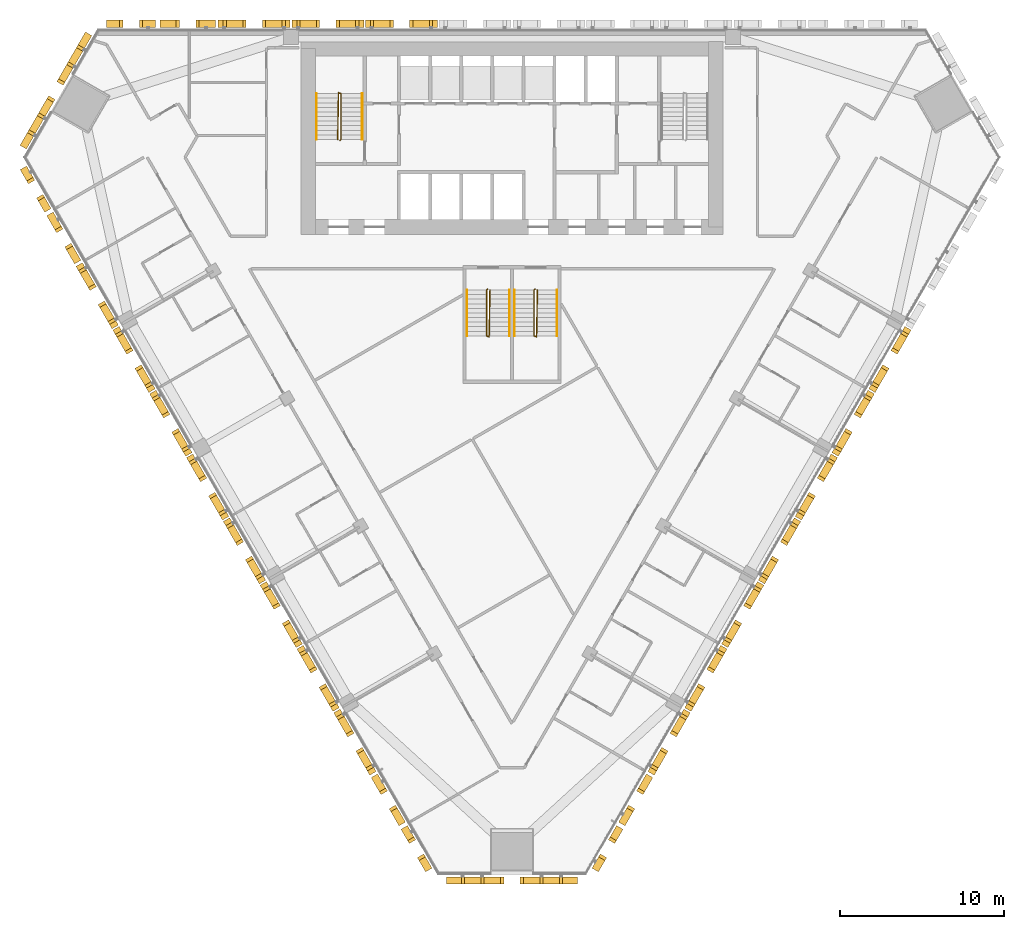
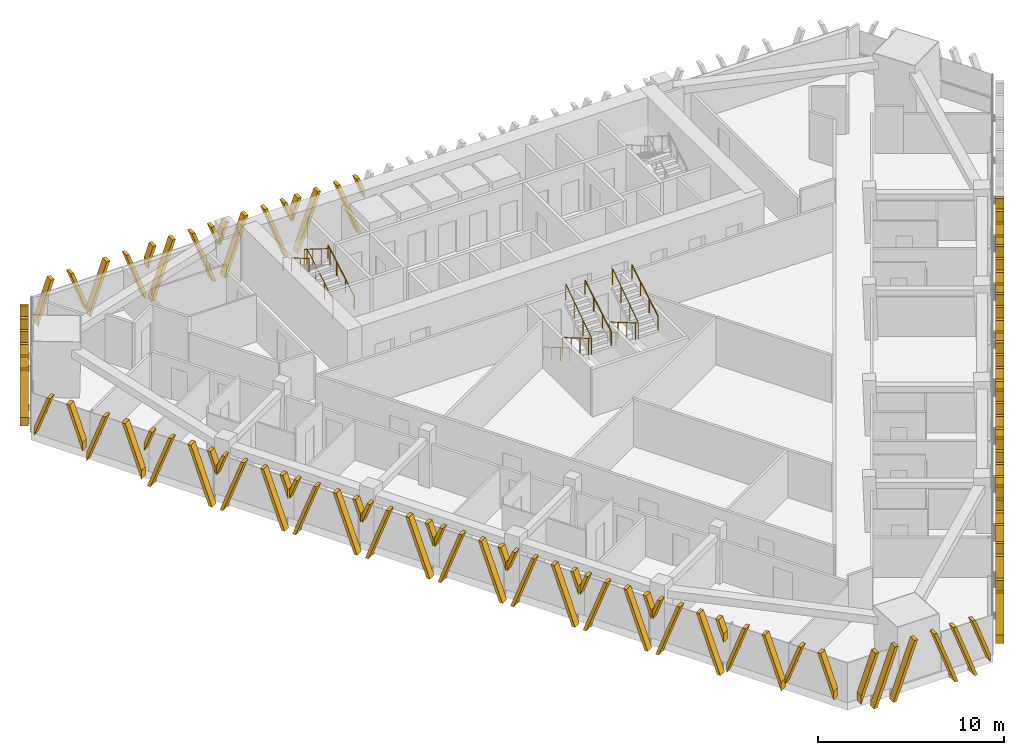
# One storey, part 14 of 16: 28 shading devices, 9 railings.
"""IFC4 building model written with IfcOpenShell, lengths in metres."""

from ifc_helpers import new_model, si_unit, direction, frame, origin, origin_2d, place, context, subcontext, project, spatial, polyline, circle, outline, extrude, source, transform, mapped, material, type_object, element, save


model = new_model("IFC4")

# Units and contexts
model_context = context("Model", 3, precision=1e-05, world=origin(), true_north=direction((0.0, 1.0)))
body_context = subcontext(model_context, "Body", "Model", "MODEL_VIEW")
ifc_project = project(units=[si_unit("LENGTHUNIT", "METRE"), si_unit("AREAUNIT", "SQUARE_METRE"), si_unit("VOLUMEUNIT", "CUBIC_METRE"), si_unit("PLANEANGLEUNIT", "RADIAN"), si_unit("MASSUNIT", "GRAM", prefix="KILO")], contexts=[model_context])

# Site, building, storey
site_placement = place(None, origin())
site = spatial("IfcSite", under=ifc_project, at=site_placement, CompositionType="ELEMENT")
building_placement = place(site_placement, origin())
building = spatial("IfcBuilding", under=site, at=building_placement, Name="Altiplano Prism Tower", CompositionType="ELEMENT")
storey_placement = place(building_placement, frame((0.0, 0.0, 73.800048828125)))
storey = spatial("IfcBuildingStorey", under=building, at=storey_placement, Name="L18", CompositionType="ELEMENT", Elevation=73.800048828125)

# Railings
ifc_material_1 = material(Name="Steel S355", Category="steel")
railing_type_1 = type_object("IfcRailingType", Name="Stair guard 1100", PredefinedType="GUARDRAIL", material=ifc_material_1)
railing_1_placement = place(storey_placement, frame((74.5, 98.25, 0.0)))
element("IfcRailing", 1, at=railing_1_placement, inside=storey, type_object=railing_type_1, Name="L18 ST1 stair guard 1", PredefinedType="GUARDRAIL", context=body_context, shape_type="SweptSolid", body=[
    extrude(circle(Radius=0.02392578125, at=origin_2d()), frame((0.0, 0.0, 1.076171875), z_axis=(0.280808744504, 0.280808744504, 0.917765164963), x_axis=(-0.707106781187, 0.707106781187, 0.0)), (0.0, 0.0, 1.0), 0.17822265625),
    extrude(circle(Radius=0.02392578125, at=origin_2d()), frame((0.050048828125, 0.050048828125, 1.23974609375), z_axis=(0.0, 0.863360870873, 0.504586966384), x_axis=(-1.0, 0.0, 0.0)), (0.0, 0.0, 1.0), 3.2431640625),
    extrude(circle(Radius=0.02392578125, at=origin_2d()), frame((0.050048828125, 2.85009765625, 2.8759765625), z_axis=(-0.949145278916, 0.314838433982, 0.0), x_axis=(-0.314838433982, -0.949145278916, 0.0)), (0.0, 0.0, 1.0), 0.158203125),
    extrude(circle(Radius=0.02392578125, at=origin_2d()), frame((-0.10009765625, 2.89990234375, 2.8759765625), z_axis=(-0.014774583964, -0.845410385345, 0.533912906773), x_axis=(0.999847325713, -0.01747355902, 0.0)), (0.0, 0.0, 1.0), 3.370849609375),
    extrude(circle(Radius=0.02099609375, at=origin_2d()), origin(), (0.0, 0.0, 1.0), 1.052001953125),
    extrude(circle(Radius=0.02099609375, at=origin_2d()), frame((0.050048828125, 0.050048828125, 0.16357421875)), (0.0, 0.0, 1.0), 1.052001953125),
    extrude(circle(Radius=0.02099609375, at=origin_2d()), frame((0.050048828125, 0.9833984375, 0.708984375)), (0.0, 0.0, 1.0), 1.052001953125),
    extrude(circle(Radius=0.02099609375, at=origin_2d()), frame((0.050048828125, 1.916748046875, 1.254638671875)), (0.0, 0.0, 1.0), 1.052001953125),
    extrude(circle(Radius=0.02099609375, at=origin_2d()), frame((0.050048828125, 2.85009765625, 1.800048828125)), (0.0, 0.0, 1.0), 1.052001953125),
    extrude(circle(Radius=0.02099609375, at=origin_2d()), frame((-0.10009765625, 2.89990234375, 1.800048828125)), (0.0, 0.0, 1.0), 1.052001953125),
    extrude(circle(Radius=0.02099609375, at=origin_2d()), frame((-0.11669921875, 1.949951171875, 2.39990234375)), (0.0, 0.0, 1.0), 1.052001953125),
    extrude(circle(Radius=0.02099609375, at=origin_2d()), frame((-0.13330078125, 1.0, 3.0)), (0.0, 0.0, 1.0), 1.052001953125),
    extrude(circle(Radius=0.02099609375, at=origin_2d()), frame((-0.14990234375, 0.050048828125, 3.599853515625)), (0.0, 0.0, 1.0), 1.052001953125),
])
railing_2_placement = place(storey_placement, frame((83.5, 89.14990234375, 0.0)))
element("IfcRailing", 2, at=railing_2_placement, inside=storey, type_object=railing_type_1, Name="L18 ST3A stair guard 1", PredefinedType="GUARDRAIL", context=body_context, shape_type="SweptSolid", body=[
    extrude(circle(Radius=0.02392578125, at=origin_2d()), frame((0.0, 0.0, 1.076171875), z_axis=(-0.280916556609, -0.279546231943, 0.91811752648), x_axis=(0.705375805398, -0.708833529934, 0.0)), (0.0, 0.0, 1.0), 0.17822265625),
    extrude(circle(Radius=0.02392578125, at=origin_2d()), frame((-0.050048828125, -0.0498046875, 1.23974609375), z_axis=(0.0, -0.863360870873, 0.504586966384), x_axis=(1.0, 0.0, 0.0)), (0.0, 0.0, 1.0), 3.2431640625),
    extrude(circle(Radius=0.02392578125, at=origin_2d()), frame((-0.050048828125, -2.849853515625, 2.8759765625), z_axis=(0.948683298051, -0.316227766017, 0.0), x_axis=(0.316227766017, 0.948683298051, 0.0)), (0.0, 0.0, 1.0), 0.158203125),
    extrude(circle(Radius=0.02392578125, at=origin_2d()), frame((0.10009765625, -2.89990234375, 2.8759765625), z_axis=(0.014773679385, 0.845431044782, 0.53388021776), x_axis=(-0.999847351862, 0.017472062685, 0.0)), (0.0, 0.0, 1.0), 3.37109375),
    extrude(circle(Radius=0.02099609375, at=origin_2d()), origin(), (0.0, 0.0, 1.0), 1.052001953125),
    extrude(circle(Radius=0.02099609375, at=origin_2d()), frame((-0.050048828125, -0.0498046875, 0.16357421875)), (0.0, 0.0, 1.0), 1.052001953125),
    extrude(circle(Radius=0.02099609375, at=origin_2d()), frame((-0.050048828125, -0.983154296875, 0.708984375)), (0.0, 0.0, 1.0), 1.052001953125),
    extrude(circle(Radius=0.02099609375, at=origin_2d()), frame((-0.050048828125, -1.91650390625, 1.254638671875)), (0.0, 0.0, 1.0), 1.052001953125),
    extrude(circle(Radius=0.02099609375, at=origin_2d()), frame((-0.050048828125, -2.849853515625, 1.800048828125)), (0.0, 0.0, 1.0), 1.052001953125),
    extrude(circle(Radius=0.02099609375, at=origin_2d()), frame((0.10009765625, -2.89990234375, 1.800048828125)), (0.0, 0.0, 1.0), 1.052001953125),
    extrude(circle(Radius=0.02099609375, at=origin_2d()), frame((0.11669921875, -1.949951171875, 2.39990234375)), (0.0, 0.0, 1.0), 1.052001953125),
    extrude(circle(Radius=0.02099609375, at=origin_2d()), frame((0.13330078125, -0.999755859375, 3.0)), (0.0, 0.0, 1.0), 1.052001953125),
    extrude(circle(Radius=0.02099609375, at=origin_2d()), frame((0.14990234375, -0.0498046875, 3.599853515625)), (0.0, 0.0, 1.0), 1.052001953125),
])
railing_3_placement = place(storey_placement, frame((86.39990234375, 89.14990234375, 0.0)))
element("IfcRailing", 3, at=railing_3_placement, inside=storey, type_object=railing_type_1, Name="L18 ST3B stair guard 1", PredefinedType="GUARDRAIL", context=body_context, shape_type="SweptSolid", body=[
    extrude(circle(Radius=0.02392578125, at=origin_2d()), frame((0.0, 0.0, 1.076171875), z_axis=(-0.279653641804, -0.279653641804, 0.918470294159), x_axis=(0.707106781187, -0.707106781187, 0.0)), (0.0, 0.0, 1.0), 0.177978515625),
    extrude(circle(Radius=0.02392578125, at=origin_2d()), frame((-0.0498046875, -0.0498046875, 1.23974609375), z_axis=(0.0, -0.863360870873, 0.504586966384), x_axis=(1.0, 0.0, 0.0)), (0.0, 0.0, 1.0), 3.2431640625),
    extrude(circle(Radius=0.02392578125, at=origin_2d()), frame((-0.0498046875, -2.849853515625, 2.8759765625), z_axis=(0.948528701346, -0.316691178788, 0.0), x_axis=(0.316691178788, 0.948528701346, 0.0)), (0.0, 0.0, 1.0), 0.157958984375),
    extrude(circle(Radius=0.02392578125, at=origin_2d()), frame((0.10009765625, -2.89990234375, 2.8759765625), z_axis=(0.014846083459, 0.845430138032, 0.533879645158), x_axis=(-0.999845851991, 0.017557683712, 0.0)), (0.0, 0.0, 1.0), 3.37109375),
    extrude(circle(Radius=0.02099609375, at=origin_2d()), origin(), (0.0, 0.0, 1.0), 1.052001953125),
    extrude(circle(Radius=0.02099609375, at=origin_2d()), frame((-0.0498046875, -0.0498046875, 0.16357421875)), (0.0, 0.0, 1.0), 1.052001953125),
    extrude(circle(Radius=0.02099609375, at=origin_2d()), frame((-0.0498046875, -0.983154296875, 0.708984375)), (0.0, 0.0, 1.0), 1.052001953125),
    extrude(circle(Radius=0.02099609375, at=origin_2d()), frame((-0.0498046875, -1.91650390625, 1.254638671875)), (0.0, 0.0, 1.0), 1.052001953125),
    extrude(circle(Radius=0.02099609375, at=origin_2d()), frame((-0.0498046875, -2.849853515625, 1.800048828125)), (0.0, 0.0, 1.0), 1.052001953125),
    extrude(circle(Radius=0.02099609375, at=origin_2d()), frame((0.10009765625, -2.89990234375, 1.800048828125)), (0.0, 0.0, 1.0), 1.052001953125),
    extrude(circle(Radius=0.02099609375, at=origin_2d()), frame((0.11669921875, -1.949951171875, 2.39990234375)), (0.0, 0.0, 1.0), 1.052001953125),
    extrude(circle(Radius=0.02099609375, at=origin_2d()), frame((0.133544921875, -0.999755859375, 3.0)), (0.0, 0.0, 1.0), 1.052001953125),
    extrude(circle(Radius=0.02099609375, at=origin_2d()), frame((0.150146484375, -0.0498046875, 3.599853515625)), (0.0, 0.0, 1.0), 1.052001953125),
])
railing_type_2 = type_object("IfcRailingType", Name="Stair handrail 900", PredefinedType="HANDRAIL", material=ifc_material_1)
railing_4_placement = place(storey_placement, frame((75.85009765625, 98.300048828125, 0.16357421875)))
element("IfcRailing", 4, at=railing_4_placement, inside=storey, type_object=railing_type_2, Name="L18 ST1 stair handrail 1", PredefinedType="HANDRAIL", context=body_context, shape_type="SweptSolid", body=[
    extrude(circle(Radius=0.02392578125, at=origin_2d()), frame((0.0, 0.0, 0.8759765625), z_axis=(0.0, 0.863360870873, 0.504586966384), x_axis=(-1.0, 0.0, 0.0)), (0.0, 0.0, 1.0), 3.2431640625),
    extrude(circle(Radius=0.02099609375, at=origin_2d()), origin(), (0.0, 0.0, 1.0), 0.851806640625),
    extrude(circle(Radius=0.02099609375, at=origin_2d()), frame((0.0, 0.933349609375, 0.54541015625)), (0.0, 0.0, 1.0), 0.851806640625),
    extrude(circle(Radius=0.02099609375, at=origin_2d()), frame((0.0, 1.86669921875, 1.091064453125)), (0.0, 0.0, 1.0), 0.851806640625),
    extrude(circle(Radius=0.02099609375, at=origin_2d()), frame((0.0, 2.800048828125, 1.636474609375)), (0.0, 0.0, 1.0), 0.851806640625),
])
railing_5_placement = place(storey_placement, frame((73.050048828125, 101.10009765625, 1.963623046875)))
element("IfcRailing", 5, at=railing_5_placement, inside=storey, type_object=railing_type_2, Name="L18 ST1 stair handrail 2", PredefinedType="HANDRAIL", context=body_context, shape_type="SweptSolid", body=[
    extrude(circle(Radius=0.02392578125, at=origin_2d()), frame((0.0, 0.0, 0.8759765625), z_axis=(0.0, -0.863393664356, 0.504530851732), x_axis=(1.0, 0.0, 0.0)), (0.0, 0.0, 1.0), 3.2431640625),
    extrude(circle(Radius=0.02099609375, at=origin_2d()), origin(), (0.0, 0.0, 1.0), 0.851806640625),
    extrude(circle(Radius=0.02099609375, at=origin_2d()), frame((0.0, -0.933349609375, 0.54541015625)), (0.0, 0.0, 1.0), 0.851806640625),
    extrude(circle(Radius=0.02099609375, at=origin_2d()), frame((0.0, -1.86669921875, 1.0908203125)), (0.0, 0.0, 1.0), 0.851806640625),
    extrude(circle(Radius=0.02099609375, at=origin_2d()), frame((0.0, -2.800048828125, 1.63623046875)), (0.0, 0.0, 1.0), 0.851806640625),
])
railing_6_placement = place(storey_placement, frame((82.25, 89.10009765625, 0.16357421875)))
element("IfcRailing", 6, at=railing_6_placement, inside=storey, type_object=railing_type_2, Name="L18 ST3A stair handrail 1", PredefinedType="HANDRAIL", context=body_context, shape_type="SweptSolid", body=[
    extrude(circle(Radius=0.02392578125, at=origin_2d()), frame((0.0, 0.0, 0.8759765625), z_axis=(0.0, -0.863360870873, 0.504586966384), x_axis=(1.0, 0.0, 0.0)), (0.0, 0.0, 1.0), 3.2431640625),
    extrude(circle(Radius=0.02099609375, at=origin_2d()), origin(), (0.0, 0.0, 1.0), 0.851806640625),
    extrude(circle(Radius=0.02099609375, at=origin_2d()), frame((0.0, -0.933349609375, 0.54541015625)), (0.0, 0.0, 1.0), 0.851806640625),
    extrude(circle(Radius=0.02099609375, at=origin_2d()), frame((0.0, -1.86669921875, 1.091064453125)), (0.0, 0.0, 1.0), 0.851806640625),
    extrude(circle(Radius=0.02099609375, at=origin_2d()), frame((0.0, -2.800048828125, 1.636474609375)), (0.0, 0.0, 1.0), 0.851806640625),
])
railing_7_placement = place(storey_placement, frame((84.85009765625, 86.300048828125, 1.963623046875)))
element("IfcRailing", 7, at=railing_7_placement, inside=storey, type_object=railing_type_2, Name="L18 ST3A stair handrail 2", PredefinedType="HANDRAIL", context=body_context, shape_type="SweptSolid", body=[
    extrude(circle(Radius=0.02392578125, at=origin_2d()), frame((0.0, 0.0, 0.8759765625), z_axis=(0.0, 0.863393664356, 0.504530851732), x_axis=(-1.0, 0.0, 0.0)), (0.0, 0.0, 1.0), 3.2431640625),
    extrude(circle(Radius=0.02099609375, at=origin_2d()), origin(), (0.0, 0.0, 1.0), 0.851806640625),
    extrude(circle(Radius=0.02099609375, at=origin_2d()), frame((0.0, 0.933349609375, 0.54541015625)), (0.0, 0.0, 1.0), 0.851806640625),
    extrude(circle(Radius=0.02099609375, at=origin_2d()), frame((0.0, 1.86669921875, 1.0908203125)), (0.0, 0.0, 1.0), 0.851806640625),
    extrude(circle(Radius=0.02099609375, at=origin_2d()), frame((0.0, 2.800048828125, 1.63623046875)), (0.0, 0.0, 1.0), 0.851806640625),
])
railing_8_placement = place(storey_placement, frame((85.14990234375, 89.10009765625, 0.16357421875)))
element("IfcRailing", 8, at=railing_8_placement, inside=storey, type_object=railing_type_2, Name="L18 ST3B stair handrail 1", PredefinedType="HANDRAIL", context=body_context, shape_type="SweptSolid", body=[
    extrude(circle(Radius=0.02392578125, at=origin_2d()), frame((0.0, 0.0, 0.8759765625), z_axis=(0.0, -0.863360870873, 0.504586966384), x_axis=(1.0, 0.0, 0.0)), (0.0, 0.0, 1.0), 3.2431640625),
    extrude(circle(Radius=0.02099609375, at=origin_2d()), origin(), (0.0, 0.0, 1.0), 0.851806640625),
    extrude(circle(Radius=0.02099609375, at=origin_2d()), frame((0.0, -0.933349609375, 0.54541015625)), (0.0, 0.0, 1.0), 0.851806640625),
    extrude(circle(Radius=0.02099609375, at=origin_2d()), frame((0.0, -1.86669921875, 1.091064453125)), (0.0, 0.0, 1.0), 0.851806640625),
    extrude(circle(Radius=0.02099609375, at=origin_2d()), frame((0.0, -2.800048828125, 1.636474609375)), (0.0, 0.0, 1.0), 0.851806640625),
])
railing_9_placement = place(storey_placement, frame((87.75, 86.300048828125, 1.963623046875)))
element("IfcRailing", 9, at=railing_9_placement, inside=storey, type_object=railing_type_2, Name="L18 ST3B stair handrail 2", PredefinedType="HANDRAIL", context=body_context, shape_type="SweptSolid", body=[
    extrude(circle(Radius=0.02392578125, at=origin_2d()), frame((0.0, 0.0, 0.8759765625), z_axis=(0.0, 0.863393664356, 0.504530851732), x_axis=(-1.0, 0.0, 0.0)), (0.0, 0.0, 1.0), 3.2431640625),
    extrude(circle(Radius=0.02099609375, at=origin_2d()), origin(), (0.0, 0.0, 1.0), 0.851806640625),
    extrude(circle(Radius=0.02099609375, at=origin_2d()), frame((0.0, 0.933349609375, 0.54541015625)), (0.0, 0.0, 1.0), 0.851806640625),
    extrude(circle(Radius=0.02099609375, at=origin_2d()), frame((0.0, 1.86669921875, 1.0908203125)), (0.0, 0.0, 1.0), 0.851806640625),
    extrude(circle(Radius=0.02099609375, at=origin_2d()), frame((0.0, 2.800048828125, 1.63623046875)), (0.0, 0.0, 1.0), 0.851806640625),
])

# Shading devices
ifc_material_2 = material(Name="Warm limestone cast stone", Category="masonry")
shading_device_type_1 = type_object("IfcShadingDeviceType", Name="Stone fin panel, standard unit", PredefinedType="USERDEFINED", material=ifc_material_2)
shared_shape_1 = source(origin(), body_context, "Body", "SweptSolid", [
    extrude(outline(polyline([(-2.199951171875, 2.226318359375), (-1.699951171875, 3.60009765625), (-1.89990234375, 3.60009765625), (-2.199951171875, 2.77587890625), (-2.199951171875, 2.226318359375)])), frame((0.0, -0.14990234375, 0.0), z_axis=(0.0, -1.0, 0.0), x_axis=(1.0, 0.0, 0.0)), (0.0, 0.0, 1.0), 0.4501953125),
    extrude(outline(polyline([(-2.01025390625, 0.0), (-1.810302734375, 0.0), (-0.5, 3.60009765625), (-0.699951171875, 3.60009765625), (-2.01025390625, 0.0)])), frame((0.0, -0.14990234375, 0.0), z_axis=(0.0, -1.0, 0.0), x_axis=(1.0, 0.0, 0.0)), (0.0, 0.0, 1.0), 0.4501953125),
    extrude(outline(polyline([(1.810302734375, 0.0), (2.01025390625, 0.0), (0.699951171875, 3.60009765625), (0.5, 3.60009765625), (1.810302734375, 0.0)])), frame((0.0, -0.14990234375, 0.0), z_axis=(0.0, -1.0, 0.0), x_axis=(1.0, 0.0, 0.0)), (0.0, 0.0, 1.0), 0.4501953125),
    extrude(outline(polyline([(2.199951171875, 2.77587890625), (1.89990234375, 3.60009765625), (1.699951171875, 3.60009765625), (2.199951171875, 2.226318359375), (2.199951171875, 2.77587890625)])), frame((0.0, -0.14990234375, 0.0), z_axis=(0.0, -1.0, 0.0), x_axis=(1.0, 0.0, 0.0)), (0.0, 0.0, 1.0), 0.4501953125),
])
shading_device_1_placement = place(storey_placement, origin())
element("IfcShadingDevice", 10, at=shading_device_1_placement, inside=storey, type_object=shading_device_type_1, Name="Fin L18 north face 8", ObjectType="FIN", PredefinedType="USERDEFINED", context=body_context, shape_type="MappedRepresentation", body=[
    mapped(shared_shape_1, transform((78.25, 105.0, -0.5), x_axis=(-1.0, 0.0, 0.0), y_axis=(0.0, -1.0, 0.0), z_axis=(0.0, 0.0, 1.0))),
])
shading_device_2_placement = place(storey_placement, origin())
element("IfcShadingDevice", 11, at=shading_device_2_placement, inside=storey, type_object=shading_device_type_1, Name="Fin L18 north face 9", ObjectType="FIN", PredefinedType="USERDEFINED", context=body_context, shape_type="MappedRepresentation", body=[
    mapped(shared_shape_1, transform((73.75, 105.0, -0.5), x_axis=(-1.0, 0.0, 0.0), y_axis=(0.0, -1.0, 0.0), z_axis=(0.0, 0.0, 1.0))),
])
shading_device_3_placement = place(storey_placement, origin())
element("IfcShadingDevice", 12, at=shading_device_3_placement, inside=storey, type_object=shading_device_type_1, Name="Fin L18 north face 10", ObjectType="FIN", PredefinedType="USERDEFINED", context=body_context, shape_type="MappedRepresentation", body=[
    mapped(shared_shape_1, transform((69.25, 105.0, -0.5), x_axis=(-1.0, 0.0, 0.0), y_axis=(0.0, -1.0, 0.0), z_axis=(0.0, 0.0, 1.0))),
])
shading_device_4_placement = place(storey_placement, origin())
element("IfcShadingDevice", 13, at=shading_device_4_placement, inside=storey, type_object=shading_device_type_1, Name="Fin L18 south-west face 3", ObjectType="FIN", PredefinedType="USERDEFINED", context=body_context, shape_type="MappedRepresentation", body=[
    mapped(shared_shape_1, transform((59.978271484375, 88.94091796875, -0.5), x_axis=(0.500000003023, -0.866025402039, 0.0), y_axis=(0.866025402039, 0.500000003023, 0.0), z_axis=(0.0, 0.0, 1.0))),
])
shading_device_5_placement = place(storey_placement, origin())
element("IfcShadingDevice", 14, at=shading_device_5_placement, inside=storey, type_object=shading_device_type_1, Name="Fin L18 south-west face 4", ObjectType="FIN", PredefinedType="USERDEFINED", context=body_context, shape_type="MappedRepresentation", body=[
    mapped(shared_shape_1, transform((62.228271484375, 85.0439453125, -0.5), x_axis=(0.500000003023, -0.866025402039, 0.0), y_axis=(0.866025402039, 0.500000003023, 0.0), z_axis=(0.0, 0.0, 1.0))),
])
shading_device_6_placement = place(storey_placement, origin())
element("IfcShadingDevice", 15, at=shading_device_6_placement, inside=storey, type_object=shading_device_type_1, Name="Fin L18 south-west face 5", ObjectType="FIN", PredefinedType="USERDEFINED", context=body_context, shape_type="MappedRepresentation", body=[
    mapped(shared_shape_1, transform((64.478271484375, 81.146728515625, -0.5), x_axis=(0.500000003023, -0.866025402039, 0.0), y_axis=(0.866025402039, 0.500000003023, 0.0), z_axis=(0.0, 0.0, 1.0))),
])
shading_device_7_placement = place(storey_placement, origin())
element("IfcShadingDevice", 16, at=shading_device_7_placement, inside=storey, type_object=shading_device_type_1, Name="Fin L18 south-west face 6", ObjectType="FIN", PredefinedType="USERDEFINED", context=body_context, shape_type="MappedRepresentation", body=[
    mapped(shared_shape_1, transform((66.728271484375, 77.249755859375, -0.5), x_axis=(0.500000003023, -0.866025402039, 0.0), y_axis=(0.866025402039, 0.500000003023, 0.0), z_axis=(0.0, 0.0, 1.0))),
])
shading_device_8_placement = place(storey_placement, origin())
element("IfcShadingDevice", 17, at=shading_device_8_placement, inside=storey, type_object=shading_device_type_1, Name="Fin L18 south-west face 7", ObjectType="FIN", PredefinedType="USERDEFINED", context=body_context, shape_type="MappedRepresentation", body=[
    mapped(shared_shape_1, transform((68.978271484375, 73.3525390625, -0.5), x_axis=(0.500000003023, -0.866025402039, 0.0), y_axis=(0.866025402039, 0.500000003023, 0.0), z_axis=(0.0, 0.0, 1.0))),
])
shading_device_9_placement = place(storey_placement, origin())
element("IfcShadingDevice", 18, at=shading_device_9_placement, inside=storey, type_object=shading_device_type_1, Name="Fin L18 south-west face 8", ObjectType="FIN", PredefinedType="USERDEFINED", context=body_context, shape_type="MappedRepresentation", body=[
    mapped(shared_shape_1, transform((71.228271484375, 69.455322265625, -0.5), x_axis=(0.500000003023, -0.866025402039, 0.0), y_axis=(0.866025402039, 0.500000003023, 0.0), z_axis=(0.0, 0.0, 1.0))),
])
shading_device_10_placement = place(storey_placement, origin())
element("IfcShadingDevice", 19, at=shading_device_10_placement, inside=storey, type_object=shading_device_type_1, Name="Fin L18 south-west face 9", ObjectType="FIN", PredefinedType="USERDEFINED", context=body_context, shape_type="MappedRepresentation", body=[
    mapped(shared_shape_1, transform((73.478271484375, 65.558349609375, -0.5), x_axis=(0.500000003023, -0.866025402039, 0.0), y_axis=(0.866025402039, 0.500000003023, 0.0), z_axis=(0.0, 0.0, 1.0))),
])
shading_device_11_placement = place(storey_placement, origin())
element("IfcShadingDevice", 20, at=shading_device_11_placement, inside=storey, type_object=shading_device_type_1, Name="Fin L18 south-west face 10", ObjectType="FIN", PredefinedType="USERDEFINED", context=body_context, shape_type="MappedRepresentation", body=[
    mapped(shared_shape_1, transform((75.728271484375, 61.6611328125, -0.5), x_axis=(0.500000003023, -0.866025402039, 0.0), y_axis=(0.866025402039, 0.500000003023, 0.0), z_axis=(0.0, 0.0, 1.0))),
])
shading_device_12_placement = place(storey_placement, origin())
element("IfcShadingDevice", 21, at=shading_device_12_placement, inside=storey, type_object=shading_device_type_1, Name="Fin L18 south-east face 3", ObjectType="FIN", PredefinedType="USERDEFINED", context=body_context, shape_type="MappedRepresentation", body=[
    mapped(shared_shape_1, transform((94.271728515625, 61.6611328125, -0.5), x_axis=(0.500000003023, 0.866025402039, 0.0), y_axis=(-0.866025402039, 0.500000003023, 0.0), z_axis=(0.0, 0.0, 1.0))),
])
shading_device_13_placement = place(storey_placement, origin())
element("IfcShadingDevice", 22, at=shading_device_13_placement, inside=storey, type_object=shading_device_type_1, Name="Fin L18 south-east face 4", ObjectType="FIN", PredefinedType="USERDEFINED", context=body_context, shape_type="MappedRepresentation", body=[
    mapped(shared_shape_1, transform((96.521728515625, 65.558349609375, -0.5), x_axis=(0.500000003023, 0.866025402039, 0.0), y_axis=(-0.866025402039, 0.500000003023, 0.0), z_axis=(0.0, 0.0, 1.0))),
])
shading_device_14_placement = place(storey_placement, origin())
element("IfcShadingDevice", 23, at=shading_device_14_placement, inside=storey, type_object=shading_device_type_1, Name="Fin L18 south-east face 5", ObjectType="FIN", PredefinedType="USERDEFINED", context=body_context, shape_type="MappedRepresentation", body=[
    mapped(shared_shape_1, transform((98.771728515625, 69.455322265625, -0.5), x_axis=(0.500000003023, 0.866025402039, 0.0), y_axis=(-0.866025402039, 0.500000003023, 0.0), z_axis=(0.0, 0.0, 1.0))),
])
shading_device_15_placement = place(storey_placement, origin())
element("IfcShadingDevice", 24, at=shading_device_15_placement, inside=storey, type_object=shading_device_type_1, Name="Fin L18 south-east face 6", ObjectType="FIN", PredefinedType="USERDEFINED", context=body_context, shape_type="MappedRepresentation", body=[
    mapped(shared_shape_1, transform((101.021728515625, 73.3525390625, -0.5), x_axis=(0.500000003023, 0.866025402039, 0.0), y_axis=(-0.866025402039, 0.500000003023, 0.0), z_axis=(0.0, 0.0, 1.0))),
])
shading_device_16_placement = place(storey_placement, origin())
element("IfcShadingDevice", 25, at=shading_device_16_placement, inside=storey, type_object=shading_device_type_1, Name="Fin L18 south-east face 7", ObjectType="FIN", PredefinedType="USERDEFINED", context=body_context, shape_type="MappedRepresentation", body=[
    mapped(shared_shape_1, transform((103.271728515625, 77.249755859375, -0.5), x_axis=(0.500000003023, 0.866025402039, 0.0), y_axis=(-0.866025402039, 0.500000003023, 0.0), z_axis=(0.0, 0.0, 1.0))),
])
shading_device_17_placement = place(storey_placement, origin())
element("IfcShadingDevice", 26, at=shading_device_17_placement, inside=storey, type_object=shading_device_type_1, Name="Fin L18 south-east face 8", ObjectType="FIN", PredefinedType="USERDEFINED", context=body_context, shape_type="MappedRepresentation", body=[
    mapped(shared_shape_1, transform((105.521728515625, 81.146728515625, -0.5), x_axis=(0.500000003023, 0.866025402039, 0.0), y_axis=(-0.866025402039, 0.500000003023, 0.0), z_axis=(0.0, 0.0, 1.0))),
])
shading_device_18_placement = place(storey_placement, origin())
element("IfcShadingDevice", 27, at=shading_device_18_placement, inside=storey, type_object=shading_device_type_1, Name="Fin L18 south-east face 9", ObjectType="FIN", PredefinedType="USERDEFINED", context=body_context, shape_type="MappedRepresentation", body=[
    mapped(shared_shape_1, transform((107.771728515625, 85.0439453125, -0.5), x_axis=(0.500000003023, 0.866025402039, 0.0), y_axis=(-0.866025402039, 0.500000003023, 0.0), z_axis=(0.0, 0.0, 1.0))),
])
shading_device_type_2 = type_object("IfcShadingDeviceType", Name="Stone fin panel, narrow closing bay", PredefinedType="USERDEFINED", material=ifc_material_2)
shared_shape_2 = source(origin(), body_context, "Body", "SweptSolid", [
    extrude(outline(polyline([(-1.699951171875, 0.302978515625), (-0.5, 3.60009765625), (-0.699951171875, 3.60009765625), (-1.699951171875, 0.8525390625), (-1.699951171875, 0.302978515625)])), frame((0.0, -0.14990234375, 0.0), z_axis=(0.0, -1.0, 0.0), x_axis=(1.0, 0.0, 0.0)), (0.0, 0.0, 1.0), 0.4501953125),
    extrude(outline(polyline([(1.699951171875, 0.8525390625), (0.699951171875, 3.60009765625), (0.5, 3.60009765625), (1.699951171875, 0.302978515625), (1.699951171875, 0.8525390625)])), frame((0.0, -0.14990234375, 0.0), z_axis=(0.0, -1.0, 0.0), x_axis=(1.0, 0.0, 0.0)), (0.0, 0.0, 1.0), 0.4501953125),
])
shading_device_19_placement = place(storey_placement, origin())
element("IfcShadingDevice", 28, at=shading_device_19_placement, inside=storey, type_object=shading_device_type_2, Name="Fin L18 north face 11", ObjectType="FIN", PredefinedType="USERDEFINED", context=body_context, shape_type="MappedRepresentation", body=[
    mapped(shared_shape_2, transform((65.176513671875, 105.0, -0.5), x_axis=(-1.0, 0.0, 0.0), y_axis=(0.0, -1.0, 0.0), z_axis=(0.0, 0.0, 1.0))),
])
shading_device_20_placement = place(storey_placement, origin())
element("IfcShadingDevice", 29, at=shading_device_20_placement, inside=storey, type_object=shading_device_type_2, Name="Fin L18 south-west face 2", ObjectType="FIN", PredefinedType="USERDEFINED", context=body_context, shape_type="MappedRepresentation", body=[
    mapped(shared_shape_2, transform((57.941650390625, 92.46875, -0.5), x_axis=(0.500000003023, -0.866025402039, 0.0), y_axis=(0.866025402039, 0.500000003023, 0.0), z_axis=(0.0, 0.0, 1.0))),
])
shading_device_21_placement = place(storey_placement, origin())
element("IfcShadingDevice", 30, at=shading_device_21_placement, inside=storey, type_object=shading_device_type_2, Name="Fin L18 south-west face 11", ObjectType="FIN", PredefinedType="USERDEFINED", context=body_context, shape_type="MappedRepresentation", body=[
    mapped(shared_shape_2, transform((77.76513671875, 58.133544921875, -0.5), x_axis=(0.500000003023, -0.866025402039, 0.0), y_axis=(0.866025402039, 0.500000003023, 0.0), z_axis=(0.0, 0.0, 1.0))),
])
shading_device_22_placement = place(storey_placement, origin())
element("IfcShadingDevice", 31, at=shading_device_22_placement, inside=storey, type_object=shading_device_type_2, Name="Fin L18 south-east face 2", ObjectType="FIN", PredefinedType="USERDEFINED", context=body_context, shape_type="MappedRepresentation", body=[
    mapped(shared_shape_2, transform((92.23486328125, 58.133544921875, -0.5), x_axis=(0.500000003023, 0.866025402039, 0.0), y_axis=(-0.866025402039, 0.500000003023, 0.0), z_axis=(0.0, 0.0, 1.0))),
])
shared_shape_3 = source(origin(), body_context, "Body", "SweptSolid", [
    extrude(outline(polyline([(-1.5, 0.8525390625), (-0.5, 3.60009765625), (-0.699951171875, 3.60009765625), (-1.5, 1.402099609375), (-1.5, 0.8525390625)])), frame((0.0, -0.14990234375, 0.0), z_axis=(0.0, -1.0, 0.0), x_axis=(1.0, 0.0, 0.0)), (0.0, 0.0, 1.0), 0.4501953125),
    extrude(outline(polyline([(1.5, 1.402099609375), (0.699951171875, 3.60009765625), (0.5, 3.60009765625), (1.5, 0.8525390625), (1.5, 1.402099609375)])), frame((0.0, -0.14990234375, 0.0), z_axis=(0.0, -1.0, 0.0), x_axis=(1.0, 0.0, 0.0)), (0.0, 0.0, 1.0), 0.4501953125),
])
shading_device_23_placement = place(storey_placement, origin())
element("IfcShadingDevice", 32, at=shading_device_23_placement, inside=storey, type_object=shading_device_type_2, Name="Fin L18 north face 12", ObjectType="FIN", PredefinedType="USERDEFINED", context=body_context, shape_type="MappedRepresentation", body=[
    mapped(shared_shape_3, transform((61.7294921875, 105.0, -0.5), x_axis=(-1.0, 0.0, 0.0), y_axis=(0.0, -1.0, 0.0), z_axis=(0.0, 0.0, 1.0))),
])
shading_device_24_placement = place(storey_placement, origin())
element("IfcShadingDevice", 33, at=shading_device_24_placement, inside=storey, type_object=shading_device_type_2, Name="Fin L18 south-west face 1", ObjectType="FIN", PredefinedType="USERDEFINED", context=body_context, shape_type="MappedRepresentation", body=[
    mapped(shared_shape_3, transform((56.218017578125, 95.453857421875, -0.5), x_axis=(0.500000003023, -0.866025402039, 0.0), y_axis=(0.866025402039, 0.500000003023, 0.0), z_axis=(0.0, 0.0, 1.0))),
])
shading_device_25_placement = place(storey_placement, origin())
element("IfcShadingDevice", 34, at=shading_device_25_placement, inside=storey, type_object=shading_device_type_2, Name="Fin L18 south-west face 12", ObjectType="FIN", PredefinedType="USERDEFINED", context=body_context, shape_type="MappedRepresentation", body=[
    mapped(shared_shape_3, transform((79.488525390625, 55.148193359375, -0.5), x_axis=(0.500000003023, -0.866025402039, 0.0), y_axis=(0.866025402039, 0.500000003023, 0.0), z_axis=(0.0, 0.0, 1.0))),
])
shading_device_26_placement = place(storey_placement, origin())
element("IfcShadingDevice", 35, at=shading_device_26_placement, inside=storey, type_object=shading_device_type_2, Name="Fin L18 south-east face 1", ObjectType="FIN", PredefinedType="USERDEFINED", context=body_context, shape_type="MappedRepresentation", body=[
    mapped(shared_shape_3, transform((90.511474609375, 55.148193359375, -0.5), x_axis=(0.500000003023, 0.866025402039, 0.0), y_axis=(-0.866025402039, 0.500000003023, 0.0), z_axis=(0.0, 0.0, 1.0))),
])
shading_device_type_3 = type_object("IfcShadingDeviceType", Name="Stone fin panel, chamfer unit", PredefinedType="USERDEFINED", material=ifc_material_2)
shared_shape_4 = source(origin(), body_context, "Body", "SweptSolid", [
    extrude(outline(polyline([(-4.0, 0.577880859375), (-2.89990234375, 3.60009765625), (-3.10009765625, 3.60009765625), (-4.0, 1.127197265625), (-4.0, 0.577880859375)])), frame((0.0, -0.14990234375, 0.0), z_axis=(0.0, -1.0, 0.0), x_axis=(1.0, 0.0, 0.0)), (0.0, 0.0, 1.0), 0.4501953125),
    extrude(outline(polyline([(-3.210205078125, 0.0), (-3.01025390625, 0.0), (-1.699951171875, 3.60009765625), (-1.89990234375, 3.60009765625), (-3.210205078125, 0.0)])), frame((0.0, -0.14990234375, 0.0), z_axis=(0.0, -1.0, 0.0), x_axis=(1.0, 0.0, 0.0)), (0.0, 0.0, 1.0), 0.4501953125),
    extrude(outline(polyline([(-2.01025390625, 0.0), (-1.810302734375, 0.0), (-0.5, 3.60009765625), (-0.699951171875, 3.60009765625), (-2.01025390625, 0.0)])), frame((0.0, -0.14990234375, 0.0), z_axis=(0.0, -1.0, 0.0), x_axis=(1.0, 0.0, 0.0)), (0.0, 0.0, 1.0), 0.4501953125),
    extrude(outline(polyline([(1.810302734375, 0.0), (2.01025390625, 0.0), (0.699951171875, 3.60009765625), (0.5, 3.60009765625), (1.810302734375, 0.0)])), frame((0.0, -0.14990234375, 0.0), z_axis=(0.0, -1.0, 0.0), x_axis=(1.0, 0.0, 0.0)), (0.0, 0.0, 1.0), 0.4501953125),
    extrude(outline(polyline([(3.01025390625, 0.0), (3.210205078125, 0.0), (1.89990234375, 3.60009765625), (1.699951171875, 3.60009765625), (3.01025390625, 0.0)])), frame((0.0, -0.14990234375, 0.0), z_axis=(0.0, -1.0, 0.0), x_axis=(1.0, 0.0, 0.0)), (0.0, 0.0, 1.0), 0.4501953125),
    extrude(outline(polyline([(4.0, 1.127197265625), (3.10009765625, 3.60009765625), (2.89990234375, 3.60009765625), (4.0, 0.577880859375), (4.0, 1.127197265625)])), frame((0.0, -0.14990234375, 0.0), z_axis=(0.0, -1.0, 0.0), x_axis=(1.0, 0.0, 0.0)), (0.0, 0.0, 1.0), 0.4501953125),
])
shading_device_27_placement = place(storey_placement, origin())
element("IfcShadingDevice", 36, at=shading_device_27_placement, inside=storey, type_object=shading_device_type_3, Name="Fin L18 north-west chamfer 1", ObjectType="FIN", PredefinedType="USERDEFINED", context=body_context, shape_type="MappedRepresentation", body=[
    mapped(shared_shape_4, transform((57.456298828125, 101.103271484375, -0.5), x_axis=(-0.500000016987, -0.866025393977, 0.0), y_axis=(0.866025393977, -0.500000016987, 0.0), z_axis=(0.0, 0.0, 1.0))),
])
shading_device_28_placement = place(storey_placement, origin())
element("IfcShadingDevice", 37, at=shading_device_28_placement, inside=storey, type_object=shading_device_type_3, Name="Fin L18 south chamfer 1", ObjectType="FIN", PredefinedType="USERDEFINED", context=body_context, shape_type="MappedRepresentation", body=[
    mapped(shared_shape_4, transform((85.0, 53.39599609375, -0.5), x_axis=(1.0, 0.0, 0.0), y_axis=(0.0, 1.0, 0.0), z_axis=(0.0, 0.0, 1.0))),
])

save(model, "model.ifc")
